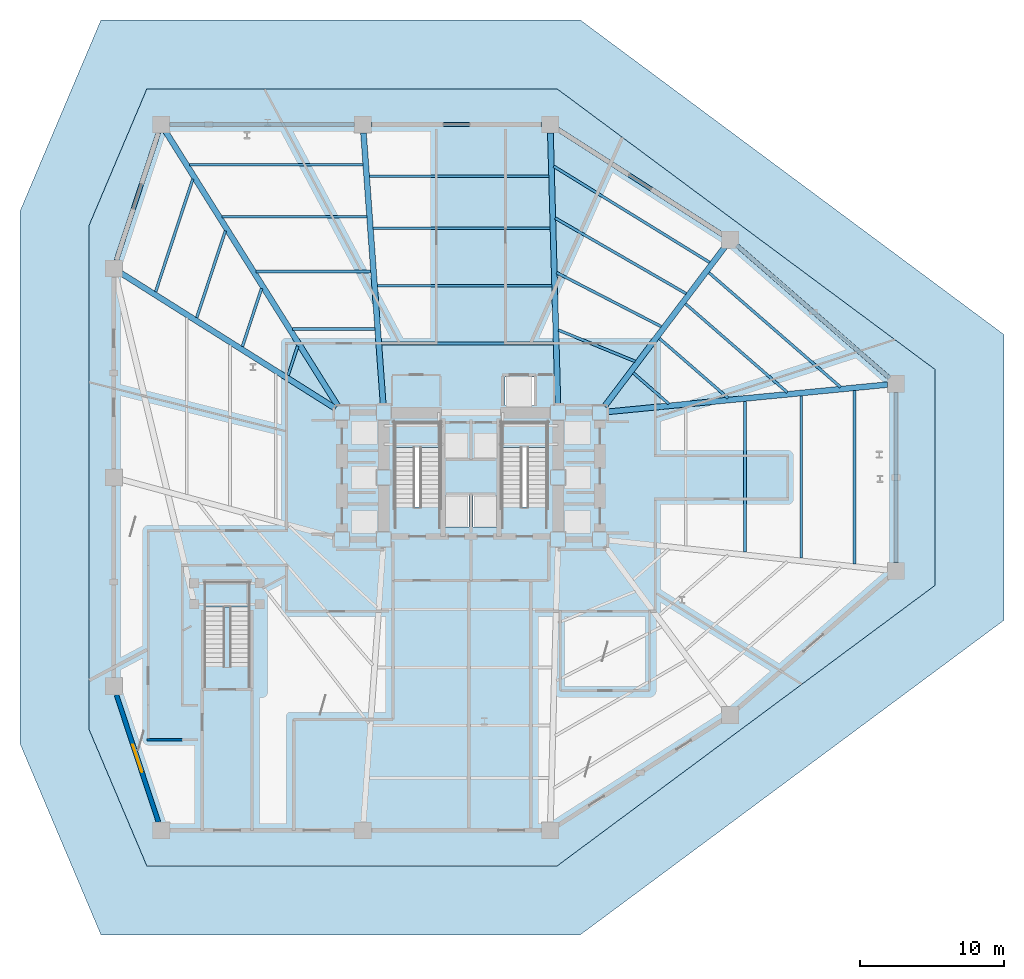
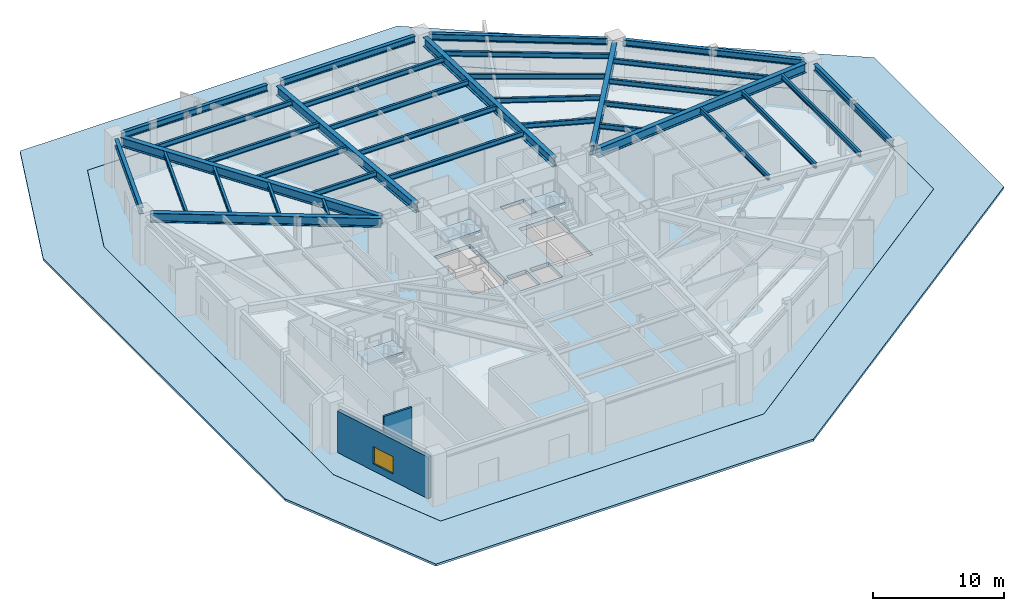
# One storey, part 2 of 10: 35 beams, 5 slabs, 2 walls, 1 window, 1 opening, 3 elements without a shape of their own.
"""IFC4 building model written with IfcOpenShell, lengths in metres."""

from ifc_helpers import new_model, si_unit, direction, frame, frame_2d, origin, origin_2d, place, context, subcontext, project, spatial, polyline, rectangle, i_section, outline, extrude, material, layer, layer_set, material_profile, profile_set, type_object, element, fill, aggregate, save


model = new_model("IFC4")

# Units and contexts
model_context = context("Model", 3, precision=1e-05, world=origin(), true_north=direction((0.0, 1.0)))
body_context = subcontext(model_context, "Body", "Model", "MODEL_VIEW")
ifc_project = project(units=[si_unit("LENGTHUNIT", "METRE"), si_unit("AREAUNIT", "SQUARE_METRE"), si_unit("VOLUMEUNIT", "CUBIC_METRE"), si_unit("PLANEANGLEUNIT", "RADIAN"), si_unit("MASSUNIT", "GRAM", prefix="KILO")], contexts=[model_context])

# Site, building, storey
site_placement = place(None, origin())
site = spatial("IfcSite", under=ifc_project, at=site_placement, CompositionType="ELEMENT")
building_placement = place(site_placement, origin())
building = spatial("IfcBuilding", under=site, at=building_placement, Name="Rocaltana Carrier Exchange", CompositionType="ELEMENT")
storey_placement = place(building_placement, origin())
storey = spatial("IfcBuildingStorey", under=building, at=storey_placement, Name="L01", CompositionType="ELEMENT", Elevation=0.0)

# Beams
ifc_material_1 = material(Name="Steel S355", Category="steel")
ifc_material_profile_1 = material_profile(ifc_material_1, i_section(OverallWidth=0.193115234375, OverallDepth=0.466064453125, WebThickness=0.011474609375, FlangeThickness=0.01904296875, FilletRadius=0.013916015625, at=origin_2d()), Name="W18X65")
ifc_profile_set_1 = profile_set([ifc_material_profile_1], Name="Steel S355")
beam_type_1 = type_object("IfcBeamType", Name="Floor Joist W18X65", PredefinedType="JOIST", material=ifc_profile_set_1)
beam_1_placement = place(storey_placement, frame((19.01953125, -5.18408203125, 4.264892578125), z_axis=(0.0, 1.0, 0.0), x_axis=(-1.0, 0.0, 0.0)))
element("IfcBeam", 1, at=beam_1_placement, inside=storey, type_object=beam_type_1, Name="FJ-POD-04-2-L01", PredefinedType="JOIST", context=body_context, shape_type="SweptSolid", body=[
    extrude(i_section(OverallWidth=0.193115234375, OverallDepth=0.466064453125, WebThickness=0.011474609375, FlangeThickness=0.01904296875, FilletRadius=0.013916015625, at=origin_2d()), origin(), (0.0, 0.0, 1.0), 10.469970703125),
])
beam_2_placement = place(storey_placement, frame((22.924072265625, -5.60205078125, 4.264892578125), z_axis=(0.0, 1.0, 0.0), x_axis=(-1.0, 0.0, 0.0)))
element("IfcBeam", 2, at=beam_2_placement, inside=storey, type_object=beam_type_1, Name="FJ-POD-04-3-L01", PredefinedType="JOIST", context=body_context, shape_type="SweptSolid", body=[
    extrude(i_section(OverallWidth=0.193115234375, OverallDepth=0.466064453125, WebThickness=0.011474609375, FlangeThickness=0.01904296875, FilletRadius=0.013916015625, at=origin_2d()), origin(), (0.0, 0.0, 1.0), 11.26806640625),
])
beam_3_placement = place(storey_placement, frame((26.623046875, -5.998046875, 4.264892578125), z_axis=(0.0, 1.0, 0.0), x_axis=(-1.0, 0.0, 0.0)))
element("IfcBeam", 3, at=beam_3_placement, inside=storey, type_object=beam_type_1, Name="FJ-POD-04-4-L01", PredefinedType="JOIST", context=body_context, shape_type="SweptSolid", body=[
    extrude(i_section(OverallWidth=0.193115234375, OverallDepth=0.466064453125, WebThickness=0.011474609375, FlangeThickness=0.01904296875, FilletRadius=0.013916015625, at=origin_2d()), origin(), (0.0, 0.0, 1.0), 12.02392578125),
])
beam_4_placement = place(storey_placement, frame((13.735595703125, 5.107421875, 4.264892578125), z_axis=(-0.754636065362, 0.656143588595, 0.0), x_axis=(-0.656143588595, -0.754636065362, 0.0)))
element("IfcBeam", 4, at=beam_4_placement, inside=storey, type_object=beam_type_1, Name="FJ-POD-05-1-L01", PredefinedType="JOIST", context=body_context, shape_type="SweptSolid", body=[
    extrude(i_section(OverallWidth=0.193115234375, OverallDepth=0.466064453125, WebThickness=0.011474609375, FlangeThickness=0.01904296875, FilletRadius=0.013916015625, at=origin_2d()), origin(), (0.0, 0.0, 1.0), 3.26953125),
])
beam_5_placement = place(storey_placement, frame((17.845703125, 5.50732421875, 4.264892578125), z_axis=(-0.754624657244, 0.656156708934, 0.0), x_axis=(-0.656156708934, -0.754624657244, 0.0)))
element("IfcBeam", 5, at=beam_5_placement, inside=storey, type_object=beam_type_1, Name="FJ-POD-05-2-L01", PredefinedType="JOIST", context=body_context, shape_type="SweptSolid", body=[
    extrude(i_section(OverallWidth=0.193115234375, OverallDepth=0.466064453125, WebThickness=0.011474609375, FlangeThickness=0.01904296875, FilletRadius=0.013916015625, at=origin_2d()), origin(), (0.0, 0.0, 1.0), 6.3173828125),
])
beam_6_placement = place(storey_placement, frame((21.95556640625, 5.9072265625, 4.264892578125), z_axis=(-0.75459654273, 0.65618904113, 0.0), x_axis=(-0.65618904113, -0.75459654273, 0.0)))
element("IfcBeam", 6, at=beam_6_placement, inside=storey, type_object=beam_type_1, Name="FJ-POD-05-3-L01", PredefinedType="JOIST", context=body_context, shape_type="SweptSolid", body=[
    extrude(i_section(OverallWidth=0.193115234375, OverallDepth=0.466064453125, WebThickness=0.011474609375, FlangeThickness=0.01904296875, FilletRadius=0.013916015625, at=origin_2d()), origin(), (0.0, 0.0, 1.0), 9.365478515625),
])
beam_7_placement = place(storey_placement, frame((25.654541015625, 6.267333984375, 4.264892578125), z_axis=(-0.754608994738, 0.656174721443, 0.0), x_axis=(-0.656174721443, -0.754608994738, 0.0)))
element("IfcBeam", 7, at=beam_7_placement, inside=storey, type_object=beam_type_1, Name="FJ-POD-05-4-L01", PredefinedType="JOIST", context=body_context, shape_type="SweptSolid", body=[
    extrude(i_section(OverallWidth=0.193115234375, OverallDepth=0.466064453125, WebThickness=0.011474609375, FlangeThickness=0.01904296875, FilletRadius=0.013916015625, at=origin_2d()), origin(), (0.0, 0.0, 1.0), 12.108642578125),
])
beam_8_placement = place(storey_placement, frame((11.39501953125, 8.05322265625, 4.264892578125), z_axis=(-0.925839459947, 0.37791704699, 0.0), x_axis=(-0.37791704699, -0.925839459947, 0.0)))
element("IfcBeam", 8, at=beam_8_placement, inside=storey, type_object=beam_type_1, Name="FJ-POD-06-1-L01", PredefinedType="JOIST", context=body_context, shape_type="SweptSolid", body=[
    extrude(i_section(OverallWidth=0.193115234375, OverallDepth=0.466064453125, WebThickness=0.011474609375, FlangeThickness=0.01904296875, FilletRadius=0.013916015625, at=origin_2d()), origin(), (0.0, 0.0, 1.0), 5.75146484375),
])
beam_9_placement = place(storey_placement, frame((13.212158203125, 10.468994140625, 4.264892578125), z_axis=(-0.888846922283, 0.458204265311, 0.0), x_axis=(-0.458204265311, -0.888846922283, 0.0)))
element("IfcBeam", 9, at=beam_9_placement, inside=storey, type_object=beam_type_1, Name="FJ-POD-06-2-L01", PredefinedType="JOIST", context=body_context, shape_type="SweptSolid", body=[
    extrude(i_section(OverallWidth=0.193115234375, OverallDepth=0.466064453125, WebThickness=0.011474609375, FlangeThickness=0.01904296875, FilletRadius=0.013916015625, at=origin_2d()), origin(), (0.0, 0.0, 1.0), 8.1669921875),
])
beam_10_placement = place(storey_placement, frame((14.93603515625, 12.757080078125, 4.264892578125), z_axis=(-0.866167386588, 0.499753997895, 0.0), x_axis=(-0.499753997895, -0.866167386588, 0.0)))
element("IfcBeam", 10, at=beam_10_placement, inside=storey, type_object=beam_type_1, Name="FJ-POD-06-3-L01", PredefinedType="JOIST", context=body_context, shape_type="SweptSolid", body=[
    extrude(i_section(OverallWidth=0.193115234375, OverallDepth=0.466064453125, WebThickness=0.011474609375, FlangeThickness=0.01904296875, FilletRadius=0.013916015625, at=origin_2d()), origin(), (0.0, 0.0, 1.0), 10.496826171875),
])
beam_11_placement = place(storey_placement, frame((16.56787109375, 14.921875, 4.264892578125), z_axis=(-0.851155718682, 0.52491327146, 0.0), x_axis=(-0.52491327146, -0.851155718682, 0.0)))
element("IfcBeam", 11, at=beam_11_placement, inside=storey, type_object=beam_type_1, Name="FJ-POD-06-4-L01", PredefinedType="JOIST", context=body_context, shape_type="SweptSolid", body=[
    extrude(i_section(OverallWidth=0.193115234375, OverallDepth=0.466064453125, WebThickness=0.011474609375, FlangeThickness=0.01904296875, FilletRadius=0.013916015625, at=origin_2d()), origin(), (0.0, 0.0, 1.0), 12.71875),
])
beam_12_placement = place(storey_placement, frame((5.72412109375, 9.300048828125, 4.264892578125), z_axis=(-1.0, 0.0, 0.0), x_axis=(0.0, -1.0, 0.0)))
element("IfcBeam", 12, at=beam_12_placement, inside=storey, type_object=beam_type_1, Name="FJ-POD-07-1-L01", PredefinedType="JOIST", context=body_context, shape_type="SweptSolid", body=[
    extrude(i_section(OverallWidth=0.193115234375, OverallDepth=0.466064453125, WebThickness=0.011474609375, FlangeThickness=0.01904296875, FilletRadius=0.013916015625, at=origin_2d()), origin(), (0.0, 0.0, 1.0), 11.92822265625),
])
beam_13_placement = place(storey_placement, frame((5.614013671875, 13.300048828125, 4.264892578125), z_axis=(-1.0, 0.0, 0.0), x_axis=(0.0, -1.0, 0.0)))
element("IfcBeam", 13, at=beam_13_placement, inside=storey, type_object=beam_type_1, Name="FJ-POD-07-2-L01", PredefinedType="JOIST", context=body_context, shape_type="SweptSolid", body=[
    extrude(i_section(OverallWidth=0.193115234375, OverallDepth=0.466064453125, WebThickness=0.011474609375, FlangeThickness=0.01904296875, FilletRadius=0.013916015625, at=origin_2d()), origin(), (0.0, 0.0, 1.0), 12.10791015625),
])
beam_14_placement = place(storey_placement, frame((5.50390625, 17.300048828125, 4.264892578125), z_axis=(-1.0, 0.0, 0.0), x_axis=(0.0, -1.0, 0.0)))
element("IfcBeam", 14, at=beam_14_placement, inside=storey, type_object=beam_type_1, Name="FJ-POD-07-3-L01", PredefinedType="JOIST", context=body_context, shape_type="SweptSolid", body=[
    extrude(i_section(OverallWidth=0.193115234375, OverallDepth=0.466064453125, WebThickness=0.011474609375, FlangeThickness=0.01904296875, FilletRadius=0.013916015625, at=origin_2d()), origin(), (0.0, 0.0, 1.0), 12.287841796875),
])
beam_15_placement = place(storey_placement, frame((5.405029296875, 20.89990234375, 4.264892578125), z_axis=(-1.0, 0.0, 0.0), x_axis=(0.0, -1.0, 0.0)))
element("IfcBeam", 15, at=beam_15_placement, inside=storey, type_object=beam_type_1, Name="FJ-POD-07-4-L01", PredefinedType="JOIST", context=body_context, shape_type="SweptSolid", body=[
    extrude(i_section(OverallWidth=0.193115234375, OverallDepth=0.466064453125, WebThickness=0.011474609375, FlangeThickness=0.01904296875, FilletRadius=0.013916015625, at=origin_2d()), origin(), (0.0, 0.0, 1.0), 12.449951171875),
])
beam_16_placement = place(storey_placement, frame((-6.66455078125, 10.300048828125, 4.264892578125), z_axis=(-1.0, 0.0, 0.0), x_axis=(0.0, -1.0, 0.0)))
element("IfcBeam", 16, at=beam_16_placement, inside=storey, type_object=beam_type_1, Name="FJ-POD-08-1-L01", PredefinedType="JOIST", context=body_context, shape_type="SweptSolid", body=[
    extrude(i_section(OverallWidth=0.193115234375, OverallDepth=0.466064453125, WebThickness=0.011474609375, FlangeThickness=0.01904296875, FilletRadius=0.013916015625, at=origin_2d()), origin(), (0.0, 0.0, 1.0), 5.73095703125),
])
beam_17_placement = place(storey_placement, frame((-6.95458984375, 14.300048828125, 4.264892578125), z_axis=(-1.0, 0.0, 0.0), x_axis=(0.0, -1.0, 0.0)))
element("IfcBeam", 17, at=beam_17_placement, inside=storey, type_object=beam_type_1, Name="FJ-POD-08-2-L01", PredefinedType="JOIST", context=body_context, shape_type="SweptSolid", body=[
    extrude(i_section(OverallWidth=0.193115234375, OverallDepth=0.466064453125, WebThickness=0.011474609375, FlangeThickness=0.01904296875, FilletRadius=0.013916015625, at=origin_2d()), origin(), (0.0, 0.0, 1.0), 7.950927734375),
])
beam_18_placement = place(storey_placement, frame((-7.22998046875, 18.10009765625, 4.264892578125), z_axis=(-1.0, 0.0, 0.0), x_axis=(0.0, -1.0, 0.0)))
element("IfcBeam", 18, at=beam_18_placement, inside=storey, type_object=beam_type_1, Name="FJ-POD-08-3-L01", PredefinedType="JOIST", context=body_context, shape_type="SweptSolid", body=[
    extrude(i_section(OverallWidth=0.193115234375, OverallDepth=0.466064453125, WebThickness=0.011474609375, FlangeThickness=0.01904296875, FilletRadius=0.013916015625, at=origin_2d()), origin(), (0.0, 0.0, 1.0), 10.06005859375),
])
beam_19_placement = place(storey_placement, frame((-7.490966796875, 21.699951171875, 4.264892578125), z_axis=(-1.0, 0.0, 0.0), x_axis=(0.0, -1.0, 0.0)))
element("IfcBeam", 19, at=beam_19_placement, inside=storey, type_object=beam_type_1, Name="FJ-POD-08-4-L01", PredefinedType="JOIST", context=body_context, shape_type="SweptSolid", body=[
    extrude(i_section(OverallWidth=0.193115234375, OverallDepth=0.466064453125, WebThickness=0.011474609375, FlangeThickness=0.01904296875, FilletRadius=0.013916015625, at=origin_2d()), origin(), (0.0, 0.0, 1.0), 12.05810546875),
])
beam_20_placement = place(storey_placement, frame((-12.022705078125, 9.11572265625, 4.264892578125), z_axis=(-0.313384658347, -0.949626271705, 0.0), x_axis=(0.949626271705, -0.313384658347, 0.0)))
element("IfcBeam", 20, at=beam_20_placement, inside=storey, type_object=beam_type_1, Name="FJ-POD-09-1-L01", PredefinedType="JOIST", context=body_context, shape_type="SweptSolid", body=[
    extrude(i_section(OverallWidth=0.193115234375, OverallDepth=0.466064453125, WebThickness=0.011474609375, FlangeThickness=0.01904296875, FilletRadius=0.013916015625, at=origin_2d()), origin(), (0.0, 0.0, 1.0), 2.13916015625),
])
beam_21_placement = place(storey_placement, frame((-14.53271484375, 13.11572265625, 4.264892578125), z_axis=(-0.313414274346, -0.949616497664, 0.0), x_axis=(0.949616497664, -0.313414274346, 0.0)))
element("IfcBeam", 21, at=beam_21_placement, inside=storey, type_object=beam_type_1, Name="FJ-POD-09-2-L01", PredefinedType="JOIST", context=body_context, shape_type="SweptSolid", body=[
    extrude(i_section(OverallWidth=0.193115234375, OverallDepth=0.466064453125, WebThickness=0.011474609375, FlangeThickness=0.01904296875, FilletRadius=0.013916015625, at=origin_2d()), origin(), (0.0, 0.0, 1.0), 4.245361328125),
])
beam_22_placement = place(storey_placement, frame((-17.042724609375, 17.11572265625, 4.264892578125), z_axis=(-0.313389586468, -0.94962464537, 0.0), x_axis=(0.94962464537, -0.313389586468, 0.0)))
element("IfcBeam", 22, at=beam_22_placement, inside=storey, type_object=beam_type_1, Name="FJ-POD-09-3-L01", PredefinedType="JOIST", context=body_context, shape_type="SweptSolid", body=[
    extrude(i_section(OverallWidth=0.193115234375, OverallDepth=0.466064453125, WebThickness=0.011474609375, FlangeThickness=0.01904296875, FilletRadius=0.013916015625, at=origin_2d()), origin(), (0.0, 0.0, 1.0), 6.3515625),
])
beam_23_placement = place(storey_placement, frame((-19.3017578125, 20.7158203125, 4.264892578125), z_axis=(-0.313384395266, -0.949626358524, 0.0), x_axis=(0.949626358524, -0.313384395266, 0.0)))
element("IfcBeam", 23, at=beam_23_placement, inside=storey, type_object=beam_type_1, Name="FJ-POD-09-4-L01", PredefinedType="JOIST", context=body_context, shape_type="SweptSolid", body=[
    extrude(i_section(OverallWidth=0.193115234375, OverallDepth=0.466064453125, WebThickness=0.011474609375, FlangeThickness=0.01904296875, FilletRadius=0.013916015625, at=origin_2d()), origin(), (0.0, 0.0, 1.0), 8.2470703125),
])
ifc_material_2 = material(Name="Steel S355", Category="steel")
ifc_material_profile_2 = material_profile(ifc_material_2, i_section(OverallWidth=0.39990234375, OverallDepth=0.85498046875, WebThickness=0.018310546875, FlangeThickness=0.029296875, FilletRadius=0.02001953125, at=origin_2d()), Name="W33X201")
ifc_profile_set_2 = profile_set([ifc_material_profile_2], Name="Steel S355")
beam_type_2 = type_object("IfcBeamType", Name="Podium Girder W33X201", PredefinedType="BEAM", material=ifc_profile_set_2)
beam_24_placement = place(storey_placement, frame((9.489501953125, 4.552490234375, 4.070556640625), z_axis=(0.995297550212, 0.096864784836, 0.0), x_axis=(-0.096864784836, 0.995297550212, 0.0)))
element("IfcBeam", 24, at=beam_24_placement, inside=storey, type_object=beam_type_2, Name="BM-PODG-06-L01", PredefinedType="BEAM", context=body_context, shape_type="SweptSolid", body=[
    extrude(i_section(OverallWidth=0.39990234375, OverallDepth=0.85498046875, WebThickness=0.018310546875, FlangeThickness=0.029296875, FilletRadius=0.02001953125, at=origin_2d()), origin(), (0.0, 0.0, 1.0), 19.51318359375),
])
beam_25_placement = place(storey_placement, frame((9.2763671875, 4.9326171875, 4.070556640625), z_axis=(0.602123023099, 0.798403322296, 0.0), x_axis=(-0.798403322296, 0.602123023099, 0.0)))
element("IfcBeam", 25, at=beam_25_placement, inside=storey, type_object=beam_type_2, Name="BM-PODG-07-L01", PredefinedType="BEAM", context=body_context, shape_type="SweptSolid", body=[
    extrude(i_section(OverallWidth=0.39990234375, OverallDepth=0.85498046875, WebThickness=0.018310546875, FlangeThickness=0.029296875, FilletRadius=0.02001953125, at=origin_2d()), origin(), (0.0, 0.0, 1.0), 13.896240234375),
])
beam_26_placement = place(storey_placement, frame((6.03515625, 5.041748046875, 4.070556640625), z_axis=(-0.027488088676, 0.999622131098, 0.0), x_axis=(-0.999622131098, -0.027488088676, 0.0)))
element("IfcBeam", 26, at=beam_26_placement, inside=storey, type_object=beam_type_2, Name="BM-PODG-08-L01", PredefinedType="BEAM", context=body_context, shape_type="SweptSolid", body=[
    extrude(i_section(OverallWidth=0.39990234375, OverallDepth=0.85498046875, WebThickness=0.018310546875, FlangeThickness=0.029296875, FilletRadius=0.02001953125, at=origin_2d()), origin(), (0.0, 0.0, 1.0), 18.87353515625),
])
beam_27_placement = place(storey_placement, frame((-6.089111328125, 5.04052734375, 4.070556640625), z_axis=(-0.072319098721, 0.997381545829, 0.0), x_axis=(-0.997381545829, -0.072319098721, 0.0)))
element("IfcBeam", 27, at=beam_27_placement, inside=storey, type_object=beam_type_2, Name="BM-PODG-09-L01", PredefinedType="BEAM", context=body_context, shape_type="SweptSolid", body=[
    extrude(i_section(OverallWidth=0.39990234375, OverallDepth=0.85498046875, WebThickness=0.018310546875, FlangeThickness=0.029296875, FilletRadius=0.02001953125, at=origin_2d()), origin(), (0.0, 0.0, 1.0), 18.91845703125),
])
beam_28_placement = place(storey_placement, frame((-9.238037109375, 4.958984375, 4.070556640625), z_axis=(-0.531519187867, 0.847046251942, 0.0), x_axis=(-0.847046251942, -0.531519187867, 0.0)))
element("IfcBeam", 28, at=beam_28_placement, inside=storey, type_object=beam_type_2, Name="BM-PODG-10-L01", PredefinedType="BEAM", context=body_context, shape_type="SweptSolid", body=[
    extrude(i_section(OverallWidth=0.39990234375, OverallDepth=0.85498046875, WebThickness=0.018310546875, FlangeThickness=0.029296875, FilletRadius=0.02001953125, at=origin_2d()), origin(), (0.0, 0.0, 1.0), 22.4775390625),
])
beam_29_placement = place(storey_placement, frame((-9.408447265625, 4.789306640625, 4.070556640625), z_axis=(-0.845744823704, 0.533587568425, 0.0), x_axis=(-0.533587568425, -0.845744823704, 0.0)))
element("IfcBeam", 29, at=beam_29_placement, inside=storey, type_object=beam_type_2, Name="BM-PODG-11-L01", PredefinedType="BEAM", context=body_context, shape_type="SweptSolid", body=[
    extrude(i_section(OverallWidth=0.39990234375, OverallDepth=0.85498046875, WebThickness=0.018310546875, FlangeThickness=0.029296875, FilletRadius=0.02001953125, at=origin_2d()), origin(), (0.0, 0.0, 1.0), 17.606689453125),
])
ifc_material_3 = material(Name="Steel S355", Category="steel")
ifc_material_profile_3 = material_profile(ifc_material_3, i_section(OverallWidth=0.300048828125, OverallDepth=0.60009765625, WebThickness=0.015380859375, FlangeThickness=0.030029296875, FilletRadius=0.027099609375, at=origin_2d()), Name="HEB600")
ifc_profile_set_3 = profile_set([ifc_material_profile_3], Name="Steel S355")
beam_type_3 = type_object("IfcBeamType", Name="Spandrel Edge Beam HEB600", PredefinedType="SPANDREL", material=ifc_profile_set_3)
beam_30_placement = place(storey_placement, frame((29.5, -5.907958984375, 4.197998046875), z_axis=(0.0, 1.0, 0.0), x_axis=(-1.0, 0.0, 0.0)))
element("IfcBeam", 30, at=beam_30_placement, inside=storey, type_object=beam_type_3, Name="BM-PODR-05-L01", PredefinedType="SPANDREL", context=body_context, shape_type="SweptSolid", body=[
    extrude(i_section(OverallWidth=0.300048828125, OverallDepth=0.60009765625, WebThickness=0.015380859375, FlangeThickness=0.030029296875, FilletRadius=0.027099609375, at=origin_2d()), origin(), (0.0, 0.0, 1.0), 11.81591796875),
])
beam_31_placement = place(storey_placement, frame((29.05322265625, 6.888427734375, 4.197998046875), z_axis=(-0.754600286985, 0.656184735331, 0.0), x_axis=(-0.656184735331, -0.754600286985, 0.0)))
element("IfcBeam", 31, at=beam_31_placement, inside=storey, type_object=beam_type_3, Name="BM-PODR-06-L01", PredefinedType="SPANDREL", context=body_context, shape_type="SweptSolid", body=[
    extrude(i_section(OverallWidth=0.300048828125, OverallDepth=0.60009765625, WebThickness=0.015380859375, FlangeThickness=0.030029296875, FilletRadius=0.027099609375, at=origin_2d()), origin(), (0.0, 0.0, 1.0), 14.0556640625),
])
beam_32_placement = place(storey_placement, frame((17.50146484375, 16.819091796875, 4.197998046875), z_axis=(-0.842273348616, 0.539050652733, 0.0), x_axis=(-0.539050652733, -0.842273348616, 0.0)))
element("IfcBeam", 32, at=beam_32_placement, inside=storey, type_object=beam_type_3, Name="BM-PODR-07-L01", PredefinedType="SPANDREL", context=body_context, shape_type="SweptSolid", body=[
    extrude(i_section(OverallWidth=0.300048828125, OverallDepth=0.60009765625, WebThickness=0.015380859375, FlangeThickness=0.030029296875, FilletRadius=0.027099609375, at=origin_2d()), origin(), (0.0, 0.0, 1.0), 13.656982421875),
])
beam_33_placement = place(storey_placement, frame((4.907958984375, 24.5, 4.197998046875), z_axis=(-1.0, 0.0, 0.0), x_axis=(0.0, -1.0, 0.0)))
element("IfcBeam", 33, at=beam_33_placement, inside=storey, type_object=beam_type_3, Name="BM-PODR-08-L01", PredefinedType="SPANDREL", context=body_context, shape_type="SweptSolid", body=[
    extrude(i_section(OverallWidth=0.300048828125, OverallDepth=0.60009765625, WebThickness=0.015380859375, FlangeThickness=0.030029296875, FilletRadius=0.027099609375, at=origin_2d()), origin(), (0.0, 0.0, 1.0), 11.81591796875),
])
beam_34_placement = place(storey_placement, frame((-8.092041015625, 24.5, 4.197998046875), z_axis=(-1.0, 0.0, 0.0), x_axis=(0.0, -1.0, 0.0)))
element("IfcBeam", 34, at=beam_34_placement, inside=storey, type_object=beam_type_3, Name="BM-PODR-09-L01", PredefinedType="SPANDREL", context=body_context, shape_type="SweptSolid", body=[
    extrude(i_section(OverallWidth=0.300048828125, OverallDepth=0.60009765625, WebThickness=0.015380859375, FlangeThickness=0.030029296875, FilletRadius=0.027099609375, at=origin_2d()), origin(), (0.0, 0.0, 1.0), 12.81591796875),
])
beam_35_placement = place(storey_placement, frame((-21.685546875, 23.937744140625, 4.197998046875), z_axis=(-0.313381694349, -0.949627249844, 0.0), x_axis=(0.949627249844, -0.313381694349, 0.0)))
element("IfcBeam", 35, at=beam_35_placement, inside=storey, type_object=beam_type_3, Name="BM-PODR-10-L01", PredefinedType="SPANDREL", context=body_context, shape_type="SweptSolid", body=[
    extrude(i_section(OverallWidth=0.300048828125, OverallDepth=0.60009765625, WebThickness=0.015380859375, FlangeThickness=0.030029296875, FilletRadius=0.027099609375, at=origin_2d()), origin(), (0.0, 0.0, 1.0), 9.34619140625),
])

# Slabs
ifc_material_4 = material(Name="Granite Stone Concrete C40/50", Category="masonry")
ifc_layer_1 = layer(ifc_material_4, 0.199951171875)
ifc_layer_set_1 = layer_set([ifc_layer_1], Name="Granite Stone Concrete C40/50")
slab_type_1 = type_object("IfcSlabType", Name="Concourse Approach Stone Paving Slab 200", PredefinedType="USERDEFINED", material=ifc_layer_set_1)
slab_1_placement = place(storey_placement, frame((0.0, 0.0, -0.199951171875)))
element("IfcSlab", 36, at=slab_1_placement, inside=storey, type_object=slab_type_1, Name="Street Concourse Exterior Stone Paving", ObjectType="PAVING", PredefinedType="USERDEFINED", context=body_context, shape_type="SweptSolid", body=[
    extrude(outline(polyline([(-31.300048828125, -18.47412109375), (-31.300048828125, 18.47412109375), (-25.680419921875, 31.75), (7.5869140625, 31.75), (37.0, 9.914794921875), (37.0, -9.914794921875), (7.5869140625, -31.75), (-25.680419921875, -31.75), (-31.300048828125, -18.47412109375)]), holes=[polyline([(-22.50439453125, -26.952392578125), (-22.504150390625, -26.952880859375), (-22.50390625, -26.953125), (-22.50341796875, -26.95361328125), (-22.503173828125, -26.953857421875), (-22.502685546875, -26.9541015625), (-22.502197265625, -26.954345703125), (-22.501953125, -26.95458984375), (-22.50146484375, -26.954833984375), (-22.5009765625, -26.954833984375), (-22.50048828125, -26.955078125), (-22.5, -26.955078125), (6.0, -26.955078125), (6.00048828125, -26.955078125), (6.0009765625, -26.954833984375), (6.00146484375, -26.954833984375), (6.001708984375, -26.95458984375), (6.002197265625, -26.95458984375), (6.002685546875, -26.954345703125), (6.0029296875, -26.9541015625), (32.202880859375, -7.50390625), (32.203369140625, -7.503662109375), (32.20361328125, -7.50341796875), (32.2041015625, -7.5029296875), (32.204345703125, -7.50244140625), (32.20458984375, -7.501953125), (32.204833984375, -7.50146484375), (32.204833984375, -7.5009765625), (32.205078125, -7.50048828125), (32.205078125, -7.5), (32.205078125, 7.5), (32.205078125, 7.50048828125), (32.204833984375, 7.5009765625), (32.204833984375, 7.50146484375), (32.20458984375, 7.501953125), (32.204345703125, 7.50244140625), (32.2041015625, 7.5029296875), (32.20361328125, 7.50341796875), (32.203369140625, 7.503662109375), (32.202880859375, 7.50390625), (6.0029296875, 26.9541015625), (6.002685546875, 26.954345703125), (6.002197265625, 26.95458984375), (6.001708984375, 26.95458984375), (6.00146484375, 26.954833984375), (6.0009765625, 26.954833984375), (6.00048828125, 26.955078125), (6.0, 26.955078125), (-22.5, 26.955078125), (-22.50048828125, 26.955078125), (-22.5009765625, 26.954833984375), (-22.50146484375, 26.954833984375), (-22.501953125, 26.95458984375), (-22.502197265625, 26.954345703125), (-22.502685546875, 26.9541015625), (-22.503173828125, 26.953857421875), (-22.50341796875, 26.95361328125), (-22.50390625, 26.953125), (-22.504150390625, 26.952880859375), (-22.50439453125, 26.952392578125), (-22.504638671875, 26.951904296875), (-26.504638671875, 17.501953125), (-26.5048828125, 17.50146484375), (-26.5048828125, 17.5009765625), (-26.5048828125, 17.50048828125), (-26.5048828125, 17.5), (-26.5048828125, -17.5), (-26.5048828125, -17.50048828125), (-26.5048828125, -17.5009765625), (-26.5048828125, -17.50146484375), (-26.504638671875, -17.501953125), (-22.504638671875, -26.951904296875), (-22.50439453125, -26.952392578125)])]), origin(), (0.0, 0.0, 1.0), 0.199951171875),
])
ifc_material_5 = material(Name="Concrete C60/75", Category="concrete")
ifc_layer_2 = layer(ifc_material_5, 0.360107421875)
ifc_layer_set_2 = layer_set([ifc_layer_2], Name="Concrete C60/75")
slab_type_2 = type_object("IfcSlabType", Name="Concourse Slab 360", PredefinedType="FLOOR", material=ifc_layer_set_2)
slab_2_placement = place(storey_placement, frame((0.0, 0.0, -0.360107421875)))
element("IfcSlab", 37, at=slab_2_placement, inside=storey, type_object=slab_type_2, Name="L01 Structural Floor Slab", PredefinedType="FLOOR", context=body_context, shape_type="SweptSolid", body=[
    extrude(outline(polyline([(-22.5, -26.949951171875), (6.0, -26.949951171875), (32.199951171875, -7.5), (32.199951171875, 7.5), (6.0, 26.949951171875), (-22.5, 26.949951171875), (-26.5, 17.5), (-26.5, -17.5), (-22.5, -26.949951171875)]), holes=[polyline([(-5.300048828125, -2.06005859375), (-2.139892578125, -2.06005859375), (-2.139892578125, 3.800048828125), (-5.300048828125, 3.800048828125), (-5.300048828125, -2.06005859375)]), polyline([(2.139892578125, -2.06005859375), (5.300048828125, -2.06005859375), (5.300048828125, 3.800048828125), (2.139892578125, 3.800048828125), (2.139892578125, -2.06005859375)]), polyline([(-1.85009765625, -3.449951171875), (-0.14990234375, -3.449951171875), (-0.14990234375, -1.25), (-1.85009765625, -1.25), (-1.85009765625, -3.449951171875)]), polyline([(0.14990234375, -3.449951171875), (1.85009765625, -3.449951171875), (1.85009765625, -1.25), (0.14990234375, -1.25), (0.14990234375, -3.449951171875)]), polyline([(2.35009765625, 4.97998046875), (4.39990234375, 4.97998046875), (4.39990234375, 6.97998046875), (2.35009765625, 6.97998046875), (2.35009765625, 4.97998046875)])]), origin(), (0.0, 0.0, 1.0), 0.360107421875),
])

# Stair, slab
ifc_material_6 = material(Name="Precast concrete C45/55", Category="concrete")
stair_type = type_object("IfcStairType", Name="Standard Dog-Leg Stair 160", PredefinedType="HALF_TURN_STAIR", material=ifc_material_6)
stair_1_placement = place(storey_placement, origin())
stair_1 = element("IfcStair", 38, at=stair_1_placement, inside=storey, type_object=stair_type, Name="L01 Core West Exit Stair ST-1", PredefinedType="HALF_TURN_STAIR")
ifc_material_7 = material(Name="Precast concrete C45/55", Category="concrete")
ifc_layer_3 = layer(ifc_material_7, 0.199951171875)
ifc_layer_set_3 = layer_set([ifc_layer_3], Name="Precast concrete C45/55")
slab_type_3 = type_object("IfcSlabType", Name="Precast Stair Half-Landing 200", PredefinedType="LANDING", material=ifc_layer_set_3)
slab_3_placement = place(storey_placement, frame((0.0, 0.0, 2.199951171875)))
slab_3 = element("IfcSlab", 39, at=slab_3_placement, type_object=slab_type_3, Name="ST-1 landing 1", PredefinedType="LANDING", context=body_context, shape_type="SweptSolid", body=[
    extrude(outline(polyline([(-2.139892578125, 2.06005859375), (-2.139892578125, 3.800048828125), (-5.300048828125, 3.800048828125), (-5.300048828125, 2.06005859375), (-2.139892578125, 2.06005859375)])), origin(), (0.0, 0.0, 1.0), 0.199951171875),
])
aggregate(stair_1, [slab_3])

stair_2_placement = place(storey_placement, origin())
stair_2 = element("IfcStair", 40, at=stair_2_placement, inside=storey, type_object=stair_type, Name="L01 Core East Exit Stair ST-2", PredefinedType="HALF_TURN_STAIR")
slab_4_placement = place(storey_placement, frame((0.0, 0.0, 2.199951171875)))
slab_4 = element("IfcSlab", 41, at=slab_4_placement, type_object=slab_type_3, Name="ST-2 landing 1", PredefinedType="LANDING", context=body_context, shape_type="SweptSolid", body=[
    extrude(outline(polyline([(5.300048828125, 2.06005859375), (5.300048828125, 3.800048828125), (2.139892578125, 3.800048828125), (2.139892578125, 2.06005859375), (5.300048828125, 2.06005859375)])), origin(), (0.0, 0.0, 1.0), 0.199951171875),
])
aggregate(stair_2, [slab_4])

stair_3_placement = place(storey_placement, origin())
stair_3 = element("IfcStair", 42, at=stair_3_placement, inside=storey, type_object=stair_type, Name="L01 Podium Concourse Exit Stair ST-3", PredefinedType="HALF_TURN_STAIR")
slab_5_placement = place(storey_placement, frame((0.0, 0.0, 2.199951171875)))
slab_5 = element("IfcSlab", 43, at=slab_5_placement, type_object=slab_type_3, Name="ST-3 landing 1", PredefinedType="LANDING", context=body_context, shape_type="SweptSolid", body=[
    extrude(outline(polyline([(-15.340087890625, -8.989990234375), (-15.340087890625, -7.25), (-18.5, -7.25), (-18.5, -8.989990234375), (-15.340087890625, -8.989990234375)])), origin(), (0.0, 0.0, 1.0), 0.199951171875),
])
aggregate(stair_3, [slab_5])

# Wall
ifc_material_8 = material(Name="Gypsum & Steel Stud Partition", Category="steel")
ifc_layer_4 = layer(ifc_material_8, 0.179931640625)
ifc_layer_set_4 = layer_set([ifc_layer_4], Name="Gypsum & Steel Stud Partition")
wall_type_1 = type_object("IfcWallType", Name="Corridor Fire Partition 180 EI60", PredefinedType="PARTITIONING", material=ifc_layer_set_4)
wall_1_placement = place(storey_placement, frame((-20.030029296875, -18.199951171875, 0.0), z_axis=(0.0, 0.0, 1.0), x_axis=(-1.0, 0.0, 0.0)))
element("IfcWall", 44, at=wall_1_placement, inside=storey, type_object=wall_type_1, Name="L01 Corridor Partition 37", PredefinedType="PARTITIONING", context=body_context, shape_type="SweptSolid", body=[
    extrude(rectangle(XDim=2.4599609375, YDim=0.179931640625, at=frame_2d((1.22998046875, 0.0))), origin(), (0.0, 0.0, 1.0), 4.472900390625),
])

# Wall, opening, window
ifc_material_9 = material(Name="Precast sandstone concrete C45/55", Category="masonry")
ifc_layer_5 = layer(ifc_material_9, 0.320068359375)
ifc_layer_set_5 = layer_set([ifc_layer_5], Name="Precast sandstone concrete C45/55")
wall_type_2 = type_object("IfcWallType", Name="Precast Sandstone Facade Wall 320", PredefinedType="SOLIDWALL", material=ifc_layer_set_5)
wall_2_placement = place(storey_placement, frame((-21.6943359375, -23.9111328125, 0.0), z_axis=(0.0, 0.0, 1.0), x_axis=(-0.313380298023, 0.949627710638, 0.0)))
wall_2 = element("IfcWall", 45, at=wall_2_placement, inside=storey, type_object=wall_type_2, Name="L01 Sandstone Facade Wall B13", PredefinedType="SOLIDWALL", context=body_context, shape_type="SweptSolid", body=[
    extrude(rectangle(XDim=9.290283203125, YDim=0.320068359375, at=frame_2d((4.64501953125, 0.0))), origin(), (0.0, 0.0, 1.0), 3.867919921875),
])
opening_placement = place(wall_2_placement, frame((3.645263671875, 0.0, 0.64990234375)))
opening = element("IfcOpeningElement", 46, at=opening_placement, cuts=wall_2, Name="Opening W-01", PredefinedType="OPENING", context=body_context, shape_type="SweptSolid", body=[
    extrude(rectangle(XDim=2.0, YDim=1.60009765625, at=frame_2d((1.0, 0.800048828125))), frame((0.0, 0.169921875, 0.0), z_axis=(0.0, -1.0, 0.0), x_axis=(1.0, 0.0, 0.0)), (0.0, 0.0, 1.0), 0.340087890625),
])
ifc_material_10 = material(Name="Aluminium 6063-T6 & Double Glazing", Category="aluminium")
window_type = type_object("IfcWindowType", Name="Concourse Gallery Window 2000x1600", PartitioningType="SINGLE_PANEL", PredefinedType="WINDOW", material=ifc_material_10)
window_placement = place(opening_placement, origin())
window = element("IfcWindow", 47, at=window_placement, inside=storey, type_object=window_type, Name="L01 Punched Window B13-1", OverallHeight=1.60009765625, OverallWidth=2.0, PartitioningType="SINGLE_PANEL", PredefinedType="WINDOW", context=body_context, shape_type="SweptSolid", body=[
    extrude(rectangle(XDim=2.0, YDim=1.60009765625, at=frame_2d((1.0, 0.800048828125))), frame((0.0, 0.030029296875, 0.0), z_axis=(0.0, -1.0, 0.0), x_axis=(1.0, 0.0, 0.0)), (0.0, 0.0, 1.0), 0.06005859375),
])
fill(opening, window)

save(model, "model.ifc")
